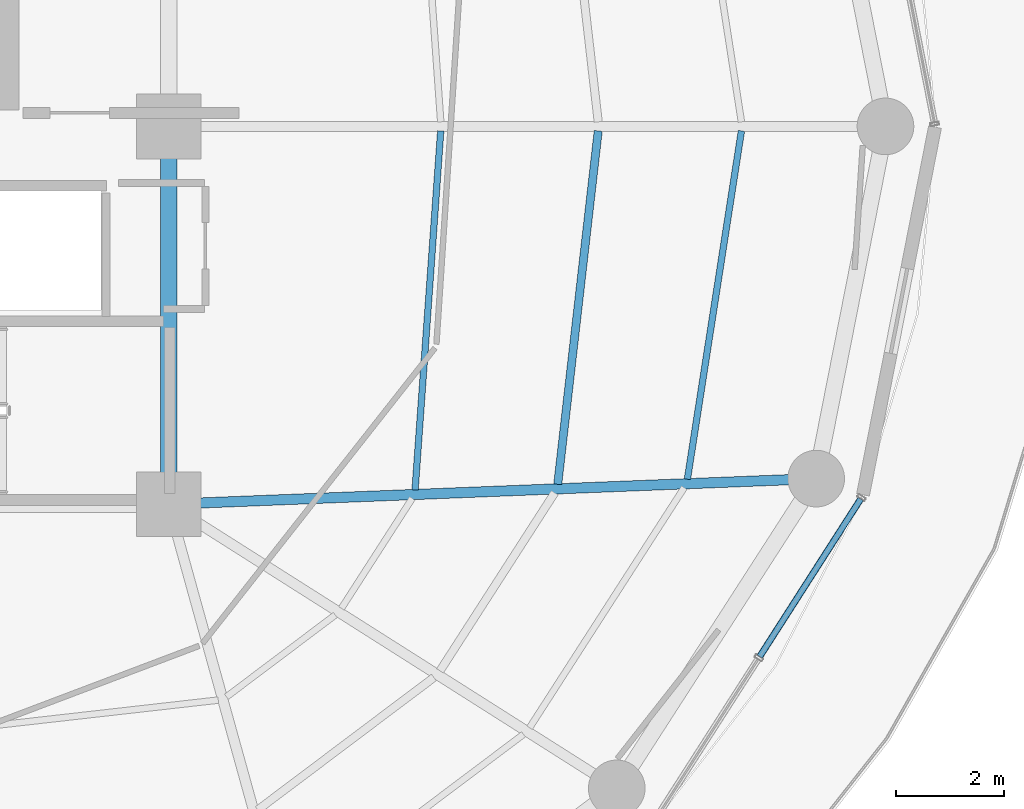
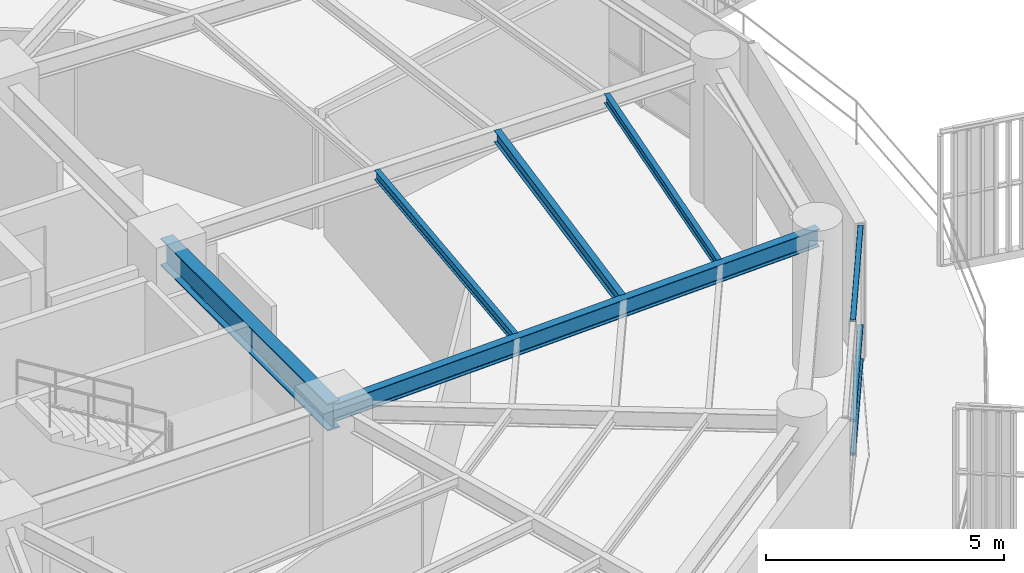
# One storey, part 12 of 31: 5 beams, 3 members, 1 element without a shape of its own.
"""IFC4 building model written with IfcOpenShell, lengths in metres."""

from ifc_helpers import new_model, si_unit, direction, frame, origin, origin_2d, place, context, subcontext, project, spatial, hollow_rectangle, i_section, extrude, material, layer, layer_set, material_profile, profile_set, type_object, element, aggregate, save


model = new_model("IFC4")

# Units and contexts
model_context = context("Model", 3, precision=1e-05, world=origin(), true_north=direction((0.0, 1.0)))
body_context = subcontext(model_context, "Body", "Model", "MODEL_VIEW")
ifc_project = project(units=[si_unit("LENGTHUNIT", "METRE"), si_unit("AREAUNIT", "SQUARE_METRE"), si_unit("VOLUMEUNIT", "CUBIC_METRE"), si_unit("PLANEANGLEUNIT", "RADIAN"), si_unit("MASSUNIT", "GRAM", prefix="KILO")], contexts=[model_context])

# Site, building, storey
site_placement = place(None, origin())
site = spatial("IfcSite", under=ifc_project, at=site_placement, CompositionType="ELEMENT")
building_placement = place(site_placement, origin())
building = spatial("IfcBuilding", under=site, at=building_placement, Name="Kelanora Arch Commons", CompositionType="ELEMENT")
storey_placement = place(building_placement, frame((0.0, 0.0, 200.699951171875)))
storey = spatial("IfcBuildingStorey", under=building, at=storey_placement, Name="L51", CompositionType="ELEMENT", Elevation=200.699951171875)

# Beams
ifc_material_1 = material(Name="Steel S355", Category="steel")
ifc_material_profile_1 = material_profile(ifc_material_1, i_section(OverallWidth=0.300048828125, OverallDepth=0.699951171875, WebThickness=0.01708984375, FlangeThickness=0.031982421875, FilletRadius=0.027099609375, at=origin_2d()), Name="HEB700")
ifc_profile_set_1 = profile_set([ifc_material_profile_1], Name="Steel S355")
beam_type_1 = type_object("IfcBeamType", Name="BM-CORE-HDR", PredefinedType="BEAM", material=ifc_profile_set_1)
beam_1_placement = place(storey_placement, frame((82.0, 51.0, 3.14013671875), z_axis=(0.0, 1.0, 0.0), x_axis=(-1.0, 0.0, 0.0)))
element("IfcBeam", 1, at=beam_1_placement, inside=storey, type_object=beam_type_1, Name="Core Header Beam 03 L51", PredefinedType="BEAM", context=body_context, shape_type="SweptSolid", body=[
    extrude(i_section(OverallWidth=0.300048828125, OverallDepth=0.699951171875, WebThickness=0.01708984375, FlangeThickness=0.031982421875, FilletRadius=0.027099609375, at=origin_2d()), origin(), (0.0, 0.0, 1.0), 7.0),
])
ifc_material_profile_2 = material_profile(ifc_material_1, i_section(OverallWidth=0.14990234375, OverallDepth=0.300048828125, WebThickness=0.007080078125, FlangeThickness=0.0107421875, FilletRadius=0.014892578125, at=origin_2d()), Name="IPE300")
ifc_profile_set_2 = profile_set([ifc_material_profile_2], Name="Steel S355")
beam_type_2 = type_object("IfcBeamType", Name="BM-JST-01", PredefinedType="JOIST", material=ifc_profile_set_2)
beam_2_placement = place(storey_placement, frame((89.207763671875, 51.368896484375, 3.340087890625), z_axis=(0.113891408177, 0.993493204377, 0.0), x_axis=(-0.993493204377, 0.113891408177, 0.0)))
element("IfcBeam", 2, at=beam_2_placement, inside=storey, type_object=beam_type_2, Name="Secondary Chord Joist BJB-34 L51", PredefinedType="JOIST", context=body_context, shape_type="SweptSolid", body=[
    extrude(i_section(OverallWidth=0.14990234375, OverallDepth=0.300048828125, WebThickness=0.007080078125, FlangeThickness=0.0107421875, FilletRadius=0.014892578125, at=origin_2d()), origin(), (0.0, 0.0, 1.0), 6.589599609375),
])
ifc_material_profile_3 = material_profile(ifc_material_1, i_section(OverallWidth=0.1201171875, OverallDepth=0.239990234375, WebThickness=0.006103515625, FlangeThickness=0.009765625, FilletRadius=0.014892578125, at=origin_2d()), Name="IPE240")
ifc_profile_set_3 = profile_set([ifc_material_profile_3], Name="Steel S355")
beam_type_3 = type_object("IfcBeamType", Name="BM-JST-02", PredefinedType="JOIST", material=ifc_profile_set_3)
beam_3_placement = place(storey_placement, frame((86.564697265625, 51.264892578125, 3.3701171875), z_axis=(0.07133032136, 0.997452748382, 0.0), x_axis=(-0.997452748382, 0.07133032136, 0.0)))
element("IfcBeam", 3, at=beam_3_placement, inside=storey, type_object=beam_type_3, Name="Secondary Chord Joist BJA-34 L51", PredefinedType="JOIST", context=body_context, shape_type="SweptSolid", body=[
    extrude(i_section(OverallWidth=0.1201171875, OverallDepth=0.239990234375, WebThickness=0.006103515625, FlangeThickness=0.009765625, FilletRadius=0.014892578125, at=origin_2d()), origin(), (0.0, 0.0, 1.0), 6.66748046875),
])
beam_4_placement = place(storey_placement, frame((91.6103515625, 51.46337890625, 3.3701171875), z_axis=(0.153256756152, 0.988186402808, 0.0), x_axis=(-0.988186402808, 0.153256756152, 0.0)))
element("IfcBeam", 4, at=beam_4_placement, inside=storey, type_object=beam_type_3, Name="Secondary Chord Joist BJC-34 L51", PredefinedType="JOIST", context=body_context, shape_type="SweptSolid", body=[
    extrude(i_section(OverallWidth=0.1201171875, OverallDepth=0.239990234375, WebThickness=0.006103515625, FlangeThickness=0.009765625, FilletRadius=0.014892578125, at=origin_2d()), origin(), (0.0, 0.0, 1.0), 6.52978515625),
])
ifc_material_profile_4 = material_profile(ifc_material_1, i_section(OverallWidth=0.18994140625, OverallDepth=0.449951171875, WebThickness=0.009521484375, FlangeThickness=0.0146484375, FilletRadius=0.02099609375, at=origin_2d()), Name="IPE450")
ifc_profile_set_4 = profile_set([ifc_material_profile_4], Name="Steel S355")
beam_type_4 = type_object("IfcBeamType", Name="BM-RAD-Z4", PredefinedType="BEAM", material=ifc_profile_set_4)
beam_5_placement = place(storey_placement, frame((82.0, 51.0, 3.26513671875), z_axis=(0.999219142585, 0.03951082246, 0.0), x_axis=(-0.03951082246, 0.999219142585, 0.0)))
element("IfcBeam", 5, at=beam_5_placement, inside=storey, type_object=beam_type_4, Name="Radial Floor Girder BR-34 L51", PredefinedType="BEAM", context=body_context, shape_type="SweptSolid", body=[
    extrude(i_section(OverallWidth=0.18994140625, OverallDepth=0.449951171875, WebThickness=0.009521484375, FlangeThickness=0.0146484375, FilletRadius=0.02099609375, at=origin_2d()), origin(), (0.0, 0.0, 1.0), 12.005859375),
])

# Curtain wall, members
ifc_material_2 = material(Name="Terracotta ceramic-fritted low-E glass and aluminium", Category="masonry")
ifc_layer = layer(ifc_material_2, 0.175048828125)
ifc_layer_set = layer_set([ifc_layer], Name="Terracotta ceramic-fritted low-E glass and aluminium")
curtain_wall_type = type_object("IfcCurtainWallType", Name="CW-SYS-02", PredefinedType="NOTDEFINED", material=ifc_layer_set)
curtain_wall_placement = place(storey_placement, origin())
curtain_wall = element("IfcCurtainWall", 6, at=curtain_wall_placement, inside=storey, type_object=curtain_wall_type, Name="Unitised Curtain Wall L51-B16", PredefinedType="NOTDEFINED")
ifc_material_3 = material(Name="Powder-coated aluminium terracotta", Category="masonry")
ifc_material_profile_5 = material_profile(ifc_material_3, hollow_rectangle(XDim=0.1201171875, YDim=0.06005859375, WallThickness=0.0048828125, InnerFilletRadius=0.0048828125, OuterFilletRadius=0.010009765625, at=origin_2d()), Name="CWT120x60")
ifc_profile_set_5 = profile_set([ifc_material_profile_5], Name="Powder-coated aluminium terracotta")
member_type = type_object("IfcMemberType", Name="CWT-STD", PredefinedType="USERDEFINED", material=ifc_profile_set_5)
member_1_placement = place(storey_placement, frame((92.949951171875, 48.17724609375, 0.030029296875), z_axis=(0.539579095642, 0.84193491408, 0.0), x_axis=(-0.84193491408, 0.539579095642, 0.0)))
member_1 = element("IfcMember", 7, at=member_1_placement, type_object=member_type, Name="CW-02 transom 2.1", ObjectType="TRANSOM", PredefinedType="USERDEFINED", context=body_context, shape_type="SweptSolid", body=[
    extrude(hollow_rectangle(XDim=0.1201171875, YDim=0.06005859375, WallThickness=0.0048828125, InnerFilletRadius=0.0048828125, OuterFilletRadius=0.010009765625, at=origin_2d()), origin(), (0.0, 0.0, 1.0), 3.46728515625),
])
member_2_placement = place(storey_placement, frame((92.949951171875, 48.17724609375, 0.900146484375), z_axis=(0.539579095642, 0.84193491408, 0.0), x_axis=(-0.84193491408, 0.539579095642, 0.0)))
member_2 = element("IfcMember", 8, at=member_2_placement, type_object=member_type, Name="CW-02 transom 2.2", ObjectType="TRANSOM", PredefinedType="USERDEFINED", context=body_context, shape_type="SweptSolid", body=[
    extrude(hollow_rectangle(XDim=0.1201171875, YDim=0.06005859375, WallThickness=0.0048828125, InnerFilletRadius=0.0048828125, OuterFilletRadius=0.010009765625, at=origin_2d()), origin(), (0.0, 0.0, 1.0), 3.46728515625),
])
member_3_placement = place(storey_placement, frame((92.949951171875, 48.17724609375, 3.445068359375), z_axis=(0.539579095642, 0.84193491408, 0.0), x_axis=(-0.84193491408, 0.539579095642, 0.0)))
member_3 = element("IfcMember", 9, at=member_3_placement, type_object=member_type, Name="CW-02 transom 2.3", ObjectType="TRANSOM", PredefinedType="USERDEFINED", context=body_context, shape_type="SweptSolid", body=[
    extrude(hollow_rectangle(XDim=0.1201171875, YDim=0.06005859375, WallThickness=0.0048828125, InnerFilletRadius=0.0048828125, OuterFilletRadius=0.010009765625, at=origin_2d()), origin(), (0.0, 0.0, 1.0), 3.46728515625),
])
aggregate(curtain_wall, [member_1, member_2, member_3])

save(model, "model.ifc")
